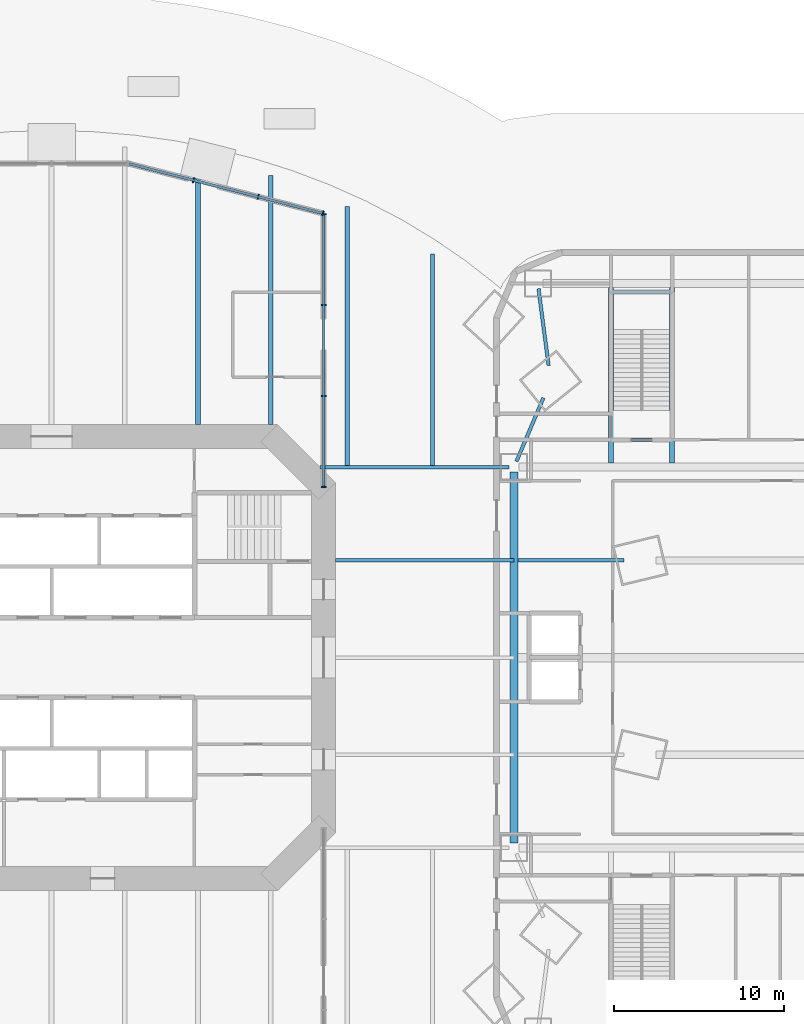
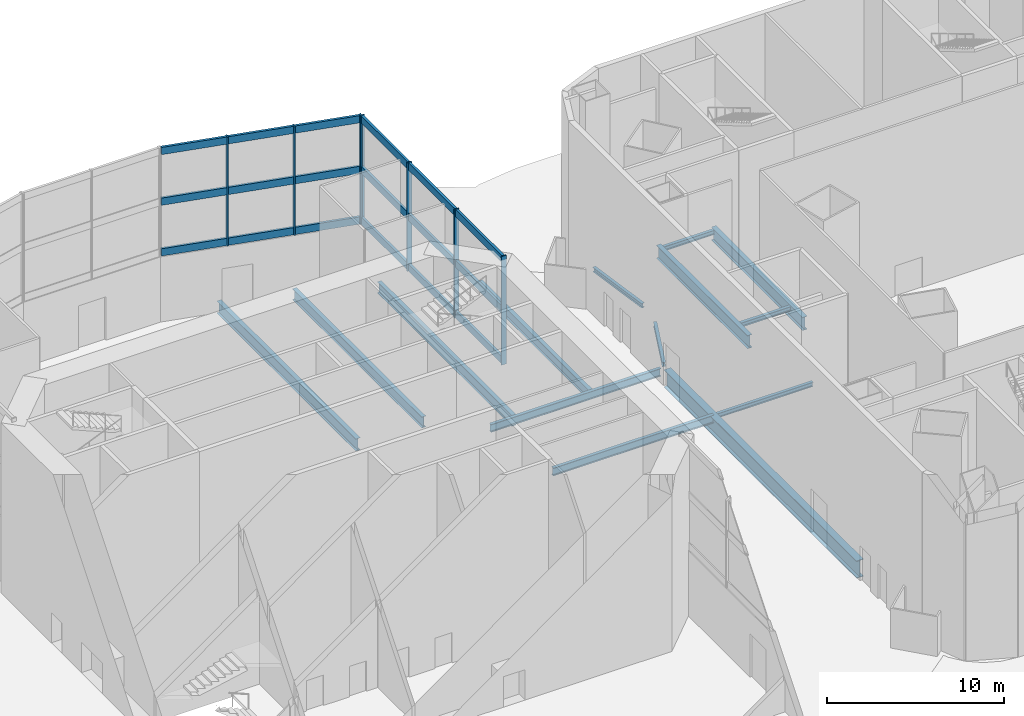
# One storey, part 7 of 23: 14 beams, 13 members, 2 elements without a shape of their own.
"""IFC4 building model written with IfcOpenShell, lengths in metres."""

from ifc_helpers import new_model, si_unit, direction, frame, origin, origin_2d, place, context, subcontext, project, spatial, rectangle, i_section, extrude, material, material_profile, profile_set, type_object, element, aggregate, save


model = new_model("IFC4")

# Units and contexts
model_context = context("Model", 3, precision=1e-05, world=origin(), true_north=direction((0.0, 1.0)))
body_context = subcontext(model_context, "Body", "Model", "MODEL_VIEW")
ifc_project = project(units=[si_unit("LENGTHUNIT", "METRE"), si_unit("AREAUNIT", "SQUARE_METRE"), si_unit("VOLUMEUNIT", "CUBIC_METRE"), si_unit("PLANEANGLEUNIT", "RADIAN"), si_unit("MASSUNIT", "GRAM", prefix="KILO")], contexts=[model_context])

# Site, building, storey
site_placement = place(None, origin())
site = spatial("IfcSite", under=ifc_project, at=site_placement, CompositionType="ELEMENT")
building_placement = place(site_placement, origin())
building = spatial("IfcBuilding", under=site, at=building_placement, Name="Marenthal Gate Tower", CompositionType="ELEMENT")
storey_placement = place(building_placement, origin())
storey = spatial("IfcBuildingStorey", under=building, at=storey_placement, Name="L00", CompositionType="ELEMENT", Elevation=0.0)

# Curtain wall, members
ifc_material_1 = material(Name="Aluminium and glass", Category="aluminium")
curtain_wall_type = type_object("IfcCurtainWallType", Name="Curtain wall arch infill", PredefinedType="NOTDEFINED", material=ifc_material_1)
curtain_wall_1_placement = place(storey_placement, origin())
curtain_wall_1 = element("IfcCurtainWall", 1, at=curtain_wall_1_placement, inside=storey, type_object=curtain_wall_type, Name="Curtain wall L00 arch N3", PredefinedType="NOTDEFINED")
ifc_material_2 = material(Name="Aluminium", Category="aluminium")
ifc_material_profile_1 = material_profile(ifc_material_2, rectangle(XDim=0.300048828125, YDim=0.080078125, at=origin_2d()), Name="80x300 aluminium mullion")
ifc_profile_set_1 = profile_set([ifc_material_profile_1], Name="Aluminium")
member_type_1 = type_object("IfcMemberType", Name="Mullion 80x300 arch infill", PredefinedType="MULLION", material=ifc_profile_set_1)
member_1_placement = place(storey_placement, frame((8.34619140625, 28.076416015625, 4.5), z_axis=(0.0, 0.0, 1.0), x_axis=(0.247965362941, 0.968768898542, 0.0)))
member_1 = element("IfcMember", 2, at=member_1_placement, type_object=member_type_1, Name="Mullion L00 arch N3.2", PredefinedType="MULLION", context=body_context, shape_type="SweptSolid", body=[
    extrude(rectangle(XDim=0.300048828125, YDim=0.080078125, at=origin_2d()), origin(), (0.0, 0.0, 1.0), 7.5),
])
member_2_placement = place(storey_placement, frame((12.15380859375, 27.101806640625, 4.5), z_axis=(0.0, 0.0, 1.0), x_axis=(0.247965362941, 0.968768898542, 0.0)))
member_2 = element("IfcMember", 3, at=member_2_placement, type_object=member_type_1, Name="Mullion L00 arch N3.3", PredefinedType="MULLION", context=body_context, shape_type="SweptSolid", body=[
    extrude(rectangle(XDim=0.300048828125, YDim=0.080078125, at=origin_2d()), origin(), (0.0, 0.0, 1.0), 7.5),
])
member_3_placement = place(storey_placement, frame((15.961181640625, 26.12744140625, 4.5), z_axis=(0.0, 0.0, 1.0), x_axis=(0.247965362941, 0.968768898542, 0.0)))
member_3 = element("IfcMember", 4, at=member_3_placement, type_object=member_type_1, Name="Mullion L00 arch N3.4", PredefinedType="MULLION", context=body_context, shape_type="SweptSolid", body=[
    extrude(rectangle(XDim=0.300048828125, YDim=0.080078125, at=origin_2d()), origin(), (0.0, 0.0, 1.0), 7.5),
])

curtain_wall_2_placement = place(storey_placement, origin())
curtain_wall_2 = element("IfcCurtainWall", 5, at=curtain_wall_2_placement, inside=storey, type_object=curtain_wall_type, Name="Curtain wall L00 hall NE1", PredefinedType="NOTDEFINED")
member_4_placement = place(storey_placement, frame((16.0, 10.0400390625, 4.5), z_axis=(0.0, 0.0, 1.0), x_axis=(-1.0, 0.0, 0.0)))
member_4 = element("IfcMember", 6, at=member_4_placement, type_object=member_type_1, Name="Mullion L00 hall NE1.1", PredefinedType="MULLION", context=body_context, shape_type="SweptSolid", body=[
    extrude(rectangle(XDim=0.300048828125, YDim=0.080078125, at=origin_2d()), origin(), (0.0, 0.0, 1.0), 7.5),
])
member_5_placement = place(storey_placement, frame((16.0, 15.3857421875, 4.5), z_axis=(0.0, 0.0, 1.0), x_axis=(-1.0, 0.0, 0.0)))
member_5 = element("IfcMember", 7, at=member_5_placement, type_object=member_type_1, Name="Mullion L00 hall NE1.2", PredefinedType="MULLION", context=body_context, shape_type="SweptSolid", body=[
    extrude(rectangle(XDim=0.300048828125, YDim=0.080078125, at=origin_2d()), origin(), (0.0, 0.0, 1.0), 7.5),
])
member_6_placement = place(storey_placement, frame((16.0, 20.731689453125, 4.5), z_axis=(0.0, 0.0, 1.0), x_axis=(-1.0, 0.0, 0.0)))
member_6 = element("IfcMember", 8, at=member_6_placement, type_object=member_type_1, Name="Mullion L00 hall NE1.3", PredefinedType="MULLION", context=body_context, shape_type="SweptSolid", body=[
    extrude(rectangle(XDim=0.300048828125, YDim=0.080078125, at=origin_2d()), origin(), (0.0, 0.0, 1.0), 7.5),
])
member_7_placement = place(storey_placement, frame((16.0, 26.077392578125, 4.5), z_axis=(0.0, 0.0, 1.0), x_axis=(-1.0, 0.0, 0.0)))
member_7 = element("IfcMember", 9, at=member_7_placement, type_object=member_type_1, Name="Mullion L00 hall NE1.4", PredefinedType="MULLION", context=body_context, shape_type="SweptSolid", body=[
    extrude(rectangle(XDim=0.300048828125, YDim=0.080078125, at=origin_2d()), origin(), (0.0, 0.0, 1.0), 7.5),
])

# Beam
ifc_material_3 = material(Name="Steel S355", Category="steel")
ifc_material_profile_2 = material_profile(ifc_material_3, i_section(OverallWidth=0.449951171875, OverallDepth=1.199951171875, WebThickness=0.02197265625, FlangeThickness=0.0400390625, at=origin_2d()), Name="PLATE GIRDER 1200X450X22X40")
ifc_profile_set_2 = profile_set([ifc_material_profile_2], Name="Steel S355")
beam_type_1 = type_object("IfcBeamType", Name="PLATE GIRDER 1200X450X22X40 beam", PredefinedType="BEAM", material=ifc_profile_set_2)
beam_1_placement = place(storey_placement, frame((27.199951171875, -10.89990234375, -0.85009765625), z_axis=(0.0, 1.0, 0.0), x_axis=(-1.0, 0.0, 0.0)))
element("IfcBeam", 10, at=beam_1_placement, inside=storey, type_object=beam_type_1, Name="BM-L00-104", PredefinedType="BEAM", context=body_context, shape_type="SweptSolid", body=[
    extrude(i_section(OverallWidth=0.449951171875, OverallDepth=1.199951171875, WebThickness=0.02197265625, FlangeThickness=0.0400390625, at=origin_2d()), origin(), (0.0, 0.0, 1.0), 21.7998046875),
])

# Member
ifc_material_4 = material(Name="Aluminium", Category="aluminium")
ifc_material_profile_3 = material_profile(ifc_material_4, rectangle(XDim=0.159912109375, YDim=0.5, at=origin_2d()), Name="160x500 aluminium transom")
ifc_profile_set_3 = profile_set([ifc_material_profile_3], Name="Aluminium")
member_type_2 = type_object("IfcMemberType", Name="Transom 160x500 arch infill", PredefinedType="USERDEFINED", material=ifc_profile_set_3)
member_8_placement = place(storey_placement, frame((4.577392578125, 29.041015625, 4.75), z_axis=(0.968771034171, -0.247957019161, 0.0), x_axis=(0.247957019161, 0.968771034171, 0.0)))
member_8 = element("IfcMember", 11, at=member_8_placement, type_object=member_type_2, Name="Transom L00 arch N3.1", ObjectType="TRANSOM", PredefinedType="USERDEFINED", context=body_context, shape_type="SweptSolid", body=[
    extrude(rectangle(XDim=0.159912109375, YDim=0.5, at=origin_2d()), origin(), (0.0, 0.0, 1.0), 11.7109375),
])

member_9_placement = place(storey_placement, frame((4.577392578125, 29.041015625, 8.25), z_axis=(0.968771034171, -0.247957019161, 0.0), x_axis=(0.247957019161, 0.968771034171, 0.0)))
member_9 = element("IfcMember", 12, at=member_9_placement, type_object=member_type_2, Name="Transom L00 arch N3.2", ObjectType="TRANSOM", PredefinedType="USERDEFINED", context=body_context, shape_type="SweptSolid", body=[
    extrude(rectangle(XDim=0.159912109375, YDim=0.5, at=origin_2d()), origin(), (0.0, 0.0, 1.0), 11.7109375),
])

member_10_placement = place(storey_placement, frame((4.577392578125, 29.041015625, 11.75), z_axis=(0.968771034171, -0.247957019161, 0.0), x_axis=(0.247957019161, 0.968771034171, 0.0)))
member_10 = element("IfcMember", 13, at=member_10_placement, type_object=member_type_2, Name="Transom L00 arch N3.3", ObjectType="TRANSOM", PredefinedType="USERDEFINED", context=body_context, shape_type="SweptSolid", body=[
    extrude(rectangle(XDim=0.159912109375, YDim=0.5, at=origin_2d()), origin(), (0.0, 0.0, 1.0), 11.7109375),
])

aggregate(curtain_wall_1, [member_1, member_2, member_3, member_8, member_9, member_10])

member_11_placement = place(storey_placement, frame((16.0, 10.080078125, 4.75), z_axis=(0.0, 1.0, 0.0), x_axis=(-1.0, 0.0, 0.0)))
member_11 = element("IfcMember", 14, at=member_11_placement, type_object=member_type_2, Name="Transom L00 hall NE1.1", ObjectType="TRANSOM", PredefinedType="USERDEFINED", context=body_context, shape_type="SweptSolid", body=[
    extrude(rectangle(XDim=0.159912109375, YDim=0.5, at=origin_2d()), origin(), (0.0, 0.0, 1.0), 15.957275390625),
])

member_12_placement = place(storey_placement, frame((16.0, 10.080078125, 8.25), z_axis=(0.0, 1.0, 0.0), x_axis=(-1.0, 0.0, 0.0)))
member_12 = element("IfcMember", 15, at=member_12_placement, type_object=member_type_2, Name="Transom L00 hall NE1.2", ObjectType="TRANSOM", PredefinedType="USERDEFINED", context=body_context, shape_type="SweptSolid", body=[
    extrude(rectangle(XDim=0.159912109375, YDim=0.5, at=origin_2d()), origin(), (0.0, 0.0, 1.0), 15.957275390625),
])

member_13_placement = place(storey_placement, frame((16.0, 10.080078125, 11.75), z_axis=(0.0, 1.0, 0.0), x_axis=(-1.0, 0.0, 0.0)))
member_13 = element("IfcMember", 16, at=member_13_placement, type_object=member_type_2, Name="Transom L00 hall NE1.3", ObjectType="TRANSOM", PredefinedType="USERDEFINED", context=body_context, shape_type="SweptSolid", body=[
    extrude(rectangle(XDim=0.159912109375, YDim=0.5, at=origin_2d()), origin(), (0.0, 0.0, 1.0), 15.957275390625),
])

aggregate(curtain_wall_2, [member_4, member_5, member_6, member_7, member_11, member_12, member_13])

# Beams
ifc_material_5 = material(Name="Steel S355", Category="steel")
ifc_material_profile_4 = material_profile(ifc_material_5, i_section(OverallWidth=0.202880859375, OverallDepth=0.302001953125, WebThickness=0.007568359375, FlangeThickness=0.01318359375, FilletRadius=0.0126953125, at=origin_2d()), Name="W310X60")
ifc_profile_set_4 = profile_set([ifc_material_profile_4], Name="Steel S355")
beam_type_2 = type_object("IfcBeamType", Name="W310X60 beam", PredefinedType="BEAM", material=ifc_profile_set_4)
beam_2_placement = place(storey_placement, frame((27.425048828125, 5.716064453125, -0.40087890625), z_axis=(1.0, 0.0, 0.0), x_axis=(0.0, 1.0, 0.0)))
element("IfcBeam", 17, at=beam_2_placement, inside=storey, type_object=beam_type_2, Name="BM-L00-110", PredefinedType="BEAM", context=body_context, shape_type="SweptSolid", body=[
    extrude(i_section(OverallWidth=0.202880859375, OverallDepth=0.302001953125, WebThickness=0.007568359375, FlangeThickness=0.01318359375, FilletRadius=0.0126953125, at=origin_2d()), origin(), (0.0, 0.0, 1.0), 6.2568359375),
])
beam_3_placement = place(storey_placement, frame((27.34375, 11.53955078125, -0.40087890625), z_axis=(0.390030578719, 0.920801904681, 0.0), x_axis=(-0.920801904681, 0.390030578719, 0.0)))
element("IfcBeam", 18, at=beam_3_placement, inside=storey, type_object=beam_type_2, Name="BM-L00-114", PredefinedType="BEAM", context=body_context, shape_type="SweptSolid", body=[
    extrude(i_section(OverallWidth=0.202880859375, OverallDepth=0.302001953125, WebThickness=0.007568359375, FlangeThickness=0.01318359375, FilletRadius=0.0126953125, at=origin_2d()), origin(), (0.0, 0.0, 1.0), 4.057373046875),
])
beam_4_placement = place(storey_placement, frame((29.233154296875, 17.17578125, -0.40087890625), z_axis=(-0.130135880417, 0.991496168741, 0.0), x_axis=(-0.991496168741, -0.130135880417, 0.0)))
element("IfcBeam", 19, at=beam_4_placement, inside=storey, type_object=beam_type_2, Name="BM-L00-115", PredefinedType="BEAM", context=body_context, shape_type="SweptSolid", body=[
    extrude(i_section(OverallWidth=0.202880859375, OverallDepth=0.302001953125, WebThickness=0.007568359375, FlangeThickness=0.01318359375, FilletRadius=0.0126953125, at=origin_2d()), origin(), (0.0, 0.0, 1.0), 4.558837890625),
])
for number, where, z_axis, x_axis, name in (
    (20, (33.054931640625, 12.804931640625, -0.40087890625), (1.0, 0.0, 0.0), (0.0, 1.0, 0.0), "BM-L00-169"),
    (21, (33.054931640625, 21.4951171875, -0.40087890625), (1.0, 0.0, 0.0), (0.0, 1.0, 0.0), "BM-L00-170"),
):
    element("IfcBeam", number, at=place(storey_placement, frame(where, z_axis=z_axis, x_axis=x_axis)), inside=storey, type_object=beam_type_2, Name=name, PredefinedType="BEAM", context=body_context, shape_type="SweptSolid", body=[
        extrude(i_section(OverallWidth=0.202880859375, OverallDepth=0.302001953125, WebThickness=0.007568359375, FlangeThickness=0.01318359375, FilletRadius=0.0126953125, at=origin_2d()), origin(), (0.0, 0.0, 1.0), 3.2900390625),
    ])
ifc_material_6 = material(Name="Steel S355", Category="steel")
ifc_material_profile_5 = material_profile(ifc_material_6, i_section(OverallWidth=0.2099609375, OverallDepth=0.535888671875, WebThickness=0.010986328125, FlangeThickness=0.017333984375, FilletRadius=0.0126953125, at=origin_2d()), Name="W530X101")
ifc_profile_set_5 = profile_set([ifc_material_profile_5], Name="Steel S355")
beam_type_3 = type_object("IfcBeamType", Name="W530X101 beam", PredefinedType="BEAM", material=ifc_profile_set_5)
beam_5_placement = place(storey_placement, frame((16.699951171875, 5.716064453125, -0.51806640625), z_axis=(1.0, 0.0, 0.0), x_axis=(0.0, 1.0, 0.0)))
element("IfcBeam", 22, at=beam_5_placement, inside=storey, type_object=beam_type_3, Name="BM-L00-137", PredefinedType="BEAM", context=body_context, shape_type="SweptSolid", body=[
    extrude(i_section(OverallWidth=0.2099609375, OverallDepth=0.535888671875, WebThickness=0.010986328125, FlangeThickness=0.017333984375, FilletRadius=0.0126953125, at=origin_2d()), origin(), (0.0, 0.0, 1.0), 10.5),
])
beam_6_placement = place(storey_placement, frame((15.7900390625, 11.199951171875, -0.51806640625), z_axis=(1.0, 0.0, 0.0), x_axis=(0.0, 1.0, 0.0)))
element("IfcBeam", 23, at=beam_6_placement, inside=storey, type_object=beam_type_3, Name="BM-L00-141", PredefinedType="BEAM", context=body_context, shape_type="SweptSolid", body=[
    extrude(i_section(OverallWidth=0.2099609375, OverallDepth=0.535888671875, WebThickness=0.010986328125, FlangeThickness=0.017333984375, FilletRadius=0.0126953125, at=origin_2d()), origin(), (0.0, 0.0, 1.0), 11.10986328125),
])
ifc_material_7 = material(Name="Steel S355", Category="steel")
ifc_material_profile_6 = material_profile(ifc_material_7, i_section(OverallWidth=0.25390625, OverallDepth=0.68310546875, WebThickness=0.012451171875, FlangeThickness=0.018798828125, FilletRadius=0.01513671875, at=origin_2d()), Name="W690X140")
ifc_profile_set_6 = profile_set([ifc_material_profile_6], Name="Steel S355")
beam_type_4 = type_object("IfcBeamType", Name="W690X140 beam", PredefinedType="BEAM", material=ifc_profile_set_6)
beam_7_placement = place(storey_placement, frame((22.39990234375, 11.304931640625, -0.591552734375), z_axis=(0.0, 1.0, 0.0), x_axis=(-1.0, 0.0, 0.0)))
element("IfcBeam", 24, at=beam_7_placement, inside=storey, type_object=beam_type_4, Name="BM-L00-161", PredefinedType="BEAM", context=body_context, shape_type="SweptSolid", body=[
    extrude(i_section(OverallWidth=0.25390625, OverallDepth=0.68310546875, WebThickness=0.012451171875, FlangeThickness=0.018798828125, FilletRadius=0.01513671875, at=origin_2d()), origin(), (0.0, 0.0, 1.0), 12.435302734375),
])
ifc_material_8 = material(Name="Steel S355", Category="steel")
ifc_material_profile_7 = material_profile(ifc_material_8, i_section(OverallWidth=0.26708984375, OverallDepth=0.75390625, WebThickness=0.01318359375, FlangeThickness=0.01708984375, FilletRadius=0.0166015625, at=origin_2d()), Name="W760X147")
ifc_profile_set_7 = profile_set([ifc_material_profile_7], Name="Steel S355")
beam_type_5 = type_object("IfcBeamType", Name="W760X147 beam", PredefinedType="BEAM", material=ifc_profile_set_7)
beam_8_placement = place(storey_placement, frame((12.89990234375, 13.699951171875, -0.626953125), z_axis=(0.0, 1.0, 0.0), x_axis=(-1.0, 0.0, 0.0)))
element("IfcBeam", 25, at=beam_8_placement, inside=storey, type_object=beam_type_5, Name="BM-L00-157", PredefinedType="BEAM", context=body_context, shape_type="SweptSolid", body=[
    extrude(i_section(OverallWidth=0.26708984375, OverallDepth=0.75390625, WebThickness=0.01318359375, FlangeThickness=0.01708984375, FilletRadius=0.0166015625, at=origin_2d()), origin(), (0.0, 0.0, 1.0), 14.642333984375),
])
ifc_material_9 = material(Name="Steel S355", Category="steel")
ifc_material_profile_8 = material_profile(ifc_material_9, i_section(OverallWidth=0.26708984375, OverallDepth=0.761962890625, WebThickness=0.014404296875, FlangeThickness=0.021484375, FilletRadius=0.0166015625, at=origin_2d()), Name="W760X173")
ifc_profile_set_8 = profile_set([ifc_material_profile_8], Name="Steel S355")
beam_type_6 = type_object("IfcBeamType", Name="W760X173 beam", PredefinedType="BEAM", material=ifc_profile_set_8)
beam_9_placement = place(storey_placement, frame((17.39990234375, 11.304931640625, -0.631103515625), z_axis=(0.0, 1.0, 0.0), x_axis=(-1.0, 0.0, 0.0)))
element("IfcBeam", 26, at=beam_9_placement, inside=storey, type_object=beam_type_6, Name="BM-L00-159", PredefinedType="BEAM", context=body_context, shape_type="SweptSolid", body=[
    extrude(i_section(OverallWidth=0.26708984375, OverallDepth=0.761962890625, WebThickness=0.014404296875, FlangeThickness=0.021484375, FilletRadius=0.0166015625, at=origin_2d()), origin(), (0.0, 0.0, 1.0), 15.227783203125),
])
ifc_material_10 = material(Name="Steel S355", Category="steel")
ifc_material_profile_9 = material_profile(ifc_material_10, i_section(OverallWidth=0.2919921875, OverallDepth=0.841064453125, WebThickness=0.0146484375, FlangeThickness=0.021728515625, FilletRadius=0.017822265625, at=origin_2d()), Name="W840X193")
ifc_profile_set_9 = profile_set([ifc_material_profile_9], Name="Steel S355")
beam_type_7 = type_object("IfcBeamType", Name="W840X193 beam", PredefinedType="BEAM", material=ifc_profile_set_9)
beam_10_placement = place(storey_placement, frame((8.60009765625, 13.699951171875, -0.67041015625), z_axis=(0.0, 1.0, 0.0), x_axis=(-1.0, 0.0, 0.0)))
element("IfcBeam", 27, at=beam_10_placement, inside=storey, type_object=beam_type_7, Name="BM-L00-155", PredefinedType="BEAM", context=body_context, shape_type="SweptSolid", body=[
    extrude(i_section(OverallWidth=0.2919921875, OverallDepth=0.841064453125, WebThickness=0.0146484375, FlangeThickness=0.021728515625, FilletRadius=0.017822265625, at=origin_2d()), origin(), (0.0, 0.0, 1.0), 15.735107421875),
])
ifc_material_11 = material(Name="Steel S355", Category="steel")
ifc_material_profile_10 = material_profile(ifc_material_11, i_section(OverallWidth=0.304931640625, OverallDepth=0.904052734375, WebThickness=0.01513671875, FlangeThickness=0.02001953125, FilletRadius=0.01904296875, at=origin_2d()), Name="W920X201")
ifc_profile_set_10 = profile_set([ifc_material_profile_10], Name="Steel S355")
beam_type_8 = type_object("IfcBeamType", Name="W920X201 beam", PredefinedType="BEAM", material=ifc_profile_set_10)
for number, where, z_axis, x_axis, name in (
    (28, (32.902587890625, 11.43994140625, -0.701904296875), (0.0, 1.0, 0.0), (-1.0, 0.0, 0.0), "BM-L00-167"),
    (29, (36.49755859375, 11.43994140625, -0.701904296875), (0.0, 1.0, 0.0), (-1.0, 0.0, 0.0), "BM-L00-168"),
):
    element("IfcBeam", number, at=place(storey_placement, frame(where, z_axis=z_axis, x_axis=x_axis)), inside=storey, type_object=beam_type_8, Name=name, PredefinedType="BEAM", context=body_context, shape_type="SweptSolid", body=[
        extrude(i_section(OverallWidth=0.304931640625, OverallDepth=0.904052734375, WebThickness=0.01513671875, FlangeThickness=0.02001953125, FilletRadius=0.01904296875, at=origin_2d()), origin(), (0.0, 0.0, 1.0), 10.330078125),
    ])

save(model, "model.ifc")
